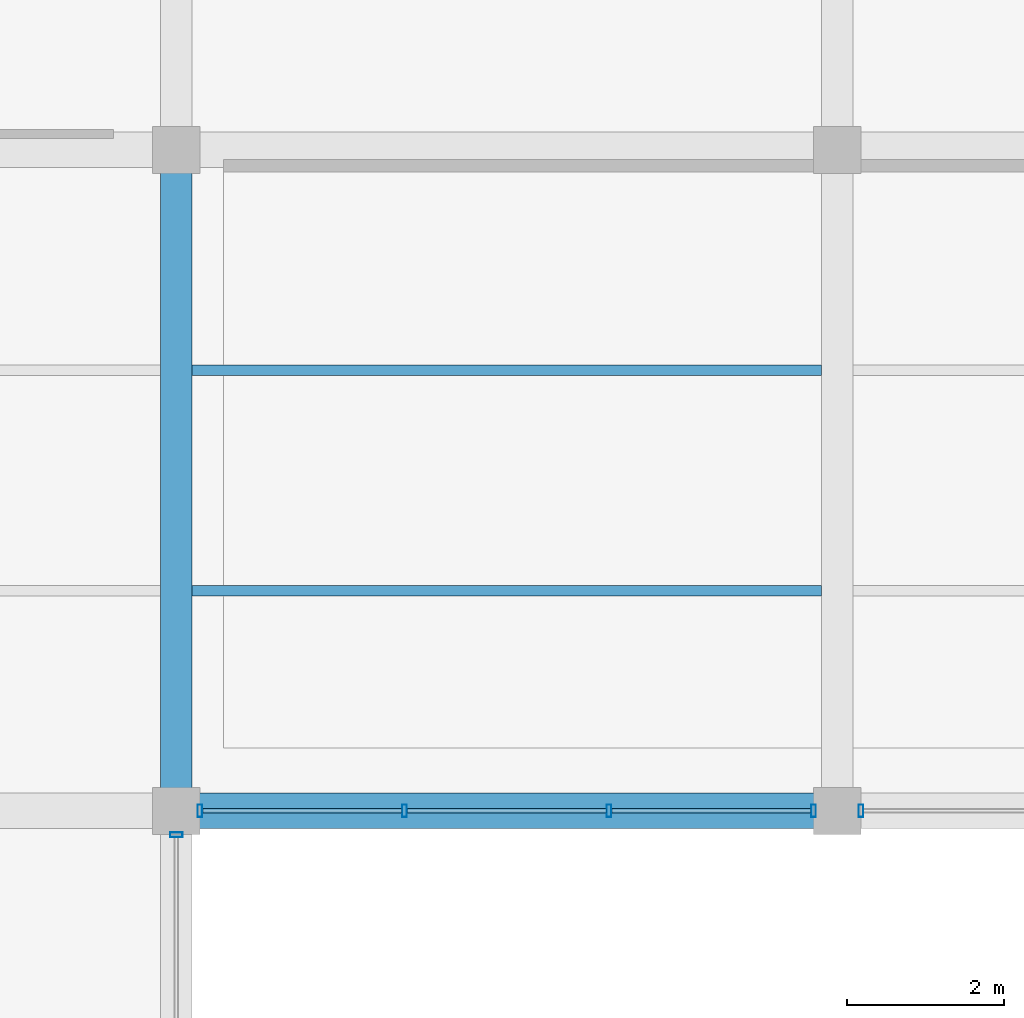
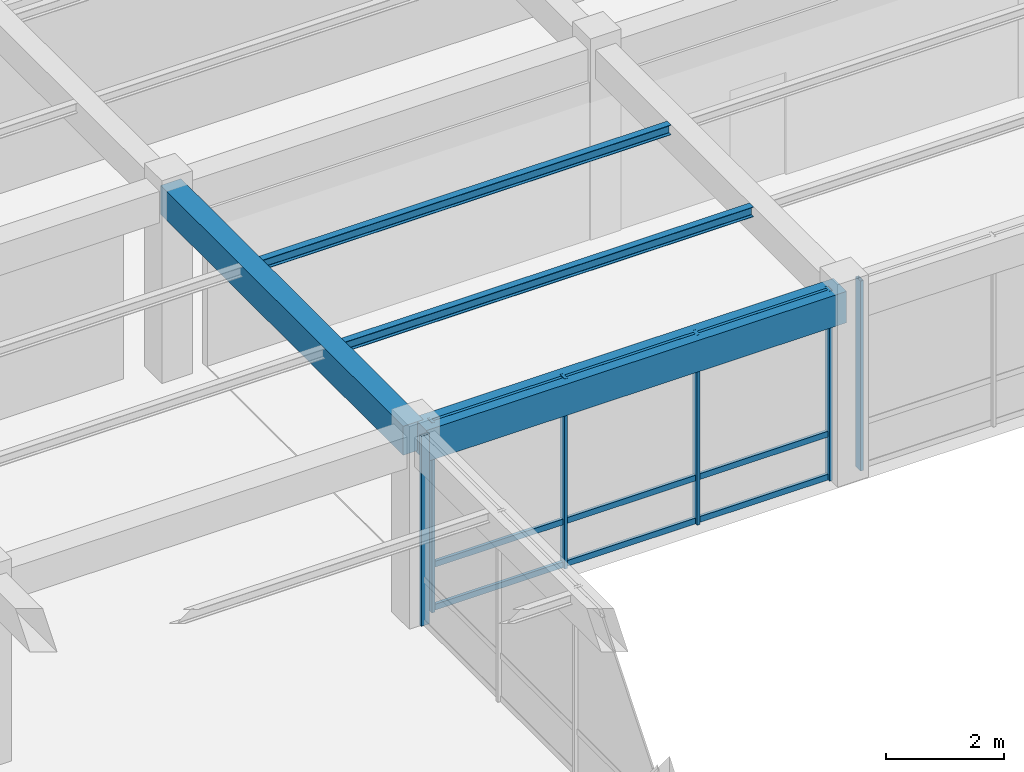
# One storey, part 10 of 114: 15 members, 4 beams, 3 elements without a shape of their own.
"""IFC4 building model written with IfcOpenShell, lengths in metres."""

from ifc_helpers import new_model, si_unit, direction, frame, origin, origin_2d, place, context, subcontext, project, spatial, rectangle, hollow_rectangle, i_section, extrude, material, material_profile, profile_set, type_object, element, aggregate, save


model = new_model("IFC4")

# Units and contexts
model_context = context("Model", 3, precision=1e-05, world=origin(), true_north=direction((0.0, 1.0)))
body_context = subcontext(model_context, "Body", "Model", "MODEL_VIEW")
ifc_project = project(units=[si_unit("LENGTHUNIT", "METRE"), si_unit("AREAUNIT", "SQUARE_METRE"), si_unit("VOLUMEUNIT", "CUBIC_METRE"), si_unit("PLANEANGLEUNIT", "RADIAN"), si_unit("MASSUNIT", "GRAM", prefix="KILO"), si_unit("THERMODYNAMICTEMPERATUREUNIT", "KELVIN"), si_unit("POWERUNIT", "WATT")], contexts=[model_context])

# Site, building, storey
site_placement = place(None, origin())
site = spatial("IfcSite", under=ifc_project, at=site_placement, CompositionType="ELEMENT")
building_placement = place(site_placement, origin())
building = spatial("IfcBuilding", under=site, at=building_placement, Name="Darbajah Civic Hall", CompositionType="ELEMENT")
storey_placement = place(building_placement, frame((0.0, 0.0, 13.800048828125)))
storey = spatial("IfcBuildingStorey", under=building, at=storey_placement, Name="L03", CompositionType="ELEMENT", Elevation=13.800048828125)

# Curtain wall, member
ifc_material_1 = material(Name="Anodised Bronze Aluminium and Low-E Glazing", Category="aluminium")
curtain_wall_type = type_object("IfcCurtainWallType", Name="Unitised Curtain Wall CW-100 7800x3950", PredefinedType="USERDEFINED", material=ifc_material_1)
curtain_wall_1_placement = place(storey_placement, origin())
curtain_wall_1 = element("IfcCurtainWall", 1, at=curtain_wall_1_placement, inside=storey, type_object=curtain_wall_type, Name="L03 unitised curtain wall CW-V5-L03-S1-B1", ObjectType="UNITISED CURTAIN WALL", PredefinedType="USERDEFINED")
ifc_material_2 = material(Name="Anodised Bronze Aluminium", Category="aluminium")
ifc_material_profile_1 = material_profile(ifc_material_2, hollow_rectangle(XDim=0.06005859375, YDim=0.159912109375, WallThickness=0.00341796875, at=origin_2d()), Name="ALU MULLION 60x160")
ifc_profile_set_1 = profile_set([ifc_material_profile_1], Name="Anodised Bronze Aluminium")
member_type_1 = type_object("IfcMemberType", Name="ALU MULLION 60x160", PredefinedType="MULLION", material=ifc_profile_set_1)
member_1_placement = place(storey_placement, frame((16.800048828125, 16.498046875, 0.0), z_axis=(0.0, 0.0, 1.0), x_axis=(0.0, 1.0, 0.0)))
member_1 = element("IfcMember", 2, at=member_1_placement, type_object=member_type_1, Name="CW-V5-L03-S1-B1 mullion 4", PredefinedType="MULLION", context=body_context, shape_type="SweptSolid", body=[
    extrude(hollow_rectangle(XDim=0.06005859375, YDim=0.159912109375, WallThickness=0.00341796875, at=origin_2d()), origin(), (0.0, 0.0, 1.0), 3.93994140625),
])
aggregate(curtain_wall_1, [member_1])

# Curtain wall, members
curtain_wall_2_placement = place(storey_placement, origin())
curtain_wall_2 = element("IfcCurtainWall", 3, at=curtain_wall_2_placement, inside=storey, type_object=curtain_wall_type, Name="L03 unitised curtain wall CW-V5-L03-S2-B0", ObjectType="UNITISED CURTAIN WALL", PredefinedType="USERDEFINED")
member_2_placement = place(storey_placement, frame((17.10205078125, 16.800048828125, 0.0), z_axis=(0.0, 0.0, 1.0), x_axis=(1.0, 0.0, 0.0)))
member_2 = element("IfcMember", 4, at=member_2_placement, type_object=member_type_1, Name="CW-V5-L03-S2-B0 mullion 1", PredefinedType="MULLION", context=body_context, shape_type="SweptSolid", body=[
    extrude(hollow_rectangle(XDim=0.06005859375, YDim=0.159912109375, WallThickness=0.00341796875, at=origin_2d()), origin(), (0.0, 0.0, 1.0), 3.93994140625),
])
member_3_placement = place(storey_placement, frame((19.70068359375, 16.800048828125, 0.0), z_axis=(0.0, 0.0, 1.0), x_axis=(1.0, 0.0, 0.0)))
member_3 = element("IfcMember", 5, at=member_3_placement, type_object=member_type_1, Name="CW-V5-L03-S2-B0 mullion 2", PredefinedType="MULLION", context=body_context, shape_type="SweptSolid", body=[
    extrude(hollow_rectangle(XDim=0.06005859375, YDim=0.159912109375, WallThickness=0.00341796875, at=origin_2d()), origin(), (0.0, 0.0, 1.0), 3.93994140625),
])
member_4_placement = place(storey_placement, frame((22.29931640625, 16.800048828125, 0.0), z_axis=(0.0, 0.0, 1.0), x_axis=(1.0, 0.0, 0.0)))
member_4 = element("IfcMember", 6, at=member_4_placement, type_object=member_type_1, Name="CW-V5-L03-S2-B0 mullion 3", PredefinedType="MULLION", context=body_context, shape_type="SweptSolid", body=[
    extrude(hollow_rectangle(XDim=0.06005859375, YDim=0.159912109375, WallThickness=0.00341796875, at=origin_2d()), origin(), (0.0, 0.0, 1.0), 3.93994140625),
])
member_5_placement = place(storey_placement, frame((24.89794921875, 16.800048828125, 0.0), z_axis=(0.0, 0.0, 1.0), x_axis=(1.0, 0.0, 0.0)))
member_5 = element("IfcMember", 7, at=member_5_placement, type_object=member_type_1, Name="CW-V5-L03-S2-B0 mullion 4", PredefinedType="MULLION", context=body_context, shape_type="SweptSolid", body=[
    extrude(hollow_rectangle(XDim=0.06005859375, YDim=0.159912109375, WallThickness=0.00341796875, at=origin_2d()), origin(), (0.0, 0.0, 1.0), 3.93994140625),
])

# Curtain wall, member
curtain_wall_3_placement = place(storey_placement, origin())
curtain_wall_3 = element("IfcCurtainWall", 8, at=curtain_wall_3_placement, inside=storey, type_object=curtain_wall_type, Name="L03 unitised curtain wall CW-V5-L03-S2-B1", ObjectType="UNITISED CURTAIN WALL", PredefinedType="USERDEFINED")
member_6_placement = place(storey_placement, frame((25.501953125, 16.800048828125, 0.0), z_axis=(0.0, 0.0, 1.0), x_axis=(1.0, 0.0, 0.0)))
member_6 = element("IfcMember", 9, at=member_6_placement, type_object=member_type_1, Name="CW-V5-L03-S2-B1 mullion 1", PredefinedType="MULLION", context=body_context, shape_type="SweptSolid", body=[
    extrude(hollow_rectangle(XDim=0.06005859375, YDim=0.159912109375, WallThickness=0.00341796875, at=origin_2d()), origin(), (0.0, 0.0, 1.0), 3.93994140625),
])
aggregate(curtain_wall_3, [member_6])

# Member
ifc_material_profile_2 = material_profile(ifc_material_2, hollow_rectangle(XDim=0.06005859375, YDim=0.1201171875, WallThickness=0.003173828125, at=origin_2d()), Name="ALU TRANSOM 60x120")
ifc_profile_set_2 = profile_set([ifc_material_profile_2], Name="Anodised Bronze Aluminium")
member_type_2 = type_object("IfcMemberType", Name="ALU TRANSOM 60x120", PredefinedType="USERDEFINED", material=ifc_profile_set_2)
member_7_placement = place(storey_placement, frame((17.136962890625, 16.800048828125, 0.06005859375), z_axis=(1.0, 0.0, 0.0), x_axis=(0.0, 1.0, 0.0)))
member_7 = element("IfcMember", 10, at=member_7_placement, type_object=member_type_2, Name="CW-V5-L03-S2-B0 transom 1.1", ObjectType="TRANSOM", PredefinedType="USERDEFINED", context=body_context, shape_type="SweptSolid", body=[
    extrude(hollow_rectangle(XDim=0.06005859375, YDim=0.1201171875, WallThickness=0.003173828125, at=origin_2d()), origin(), (0.0, 0.0, 1.0), 2.52880859375),
])

member_8_placement = place(storey_placement, frame((17.136962890625, 16.800048828125, 0.949951171875), z_axis=(1.0, 0.0, 0.0), x_axis=(0.0, 1.0, 0.0)))
member_8 = element("IfcMember", 11, at=member_8_placement, type_object=member_type_2, Name="CW-V5-L03-S2-B0 transom 1.2", ObjectType="TRANSOM", PredefinedType="USERDEFINED", context=body_context, shape_type="SweptSolid", body=[
    extrude(hollow_rectangle(XDim=0.06005859375, YDim=0.1201171875, WallThickness=0.003173828125, at=origin_2d()), origin(), (0.0, 0.0, 1.0), 2.52880859375),
])

member_9_placement = place(storey_placement, frame((17.136962890625, 16.800048828125, 3.8798828125), z_axis=(1.0, 0.0, 0.0), x_axis=(0.0, 1.0, 0.0)))
member_9 = element("IfcMember", 12, at=member_9_placement, type_object=member_type_2, Name="CW-V5-L03-S2-B0 transom 1.3", ObjectType="TRANSOM", PredefinedType="USERDEFINED", context=body_context, shape_type="SweptSolid", body=[
    extrude(hollow_rectangle(XDim=0.06005859375, YDim=0.1201171875, WallThickness=0.003173828125, at=origin_2d()), origin(), (0.0, 0.0, 1.0), 2.52880859375),
])

member_10_placement = place(storey_placement, frame((19.735595703125, 16.800048828125, 0.06005859375), z_axis=(1.0, 0.0, 0.0), x_axis=(0.0, 1.0, 0.0)))
member_10 = element("IfcMember", 13, at=member_10_placement, type_object=member_type_2, Name="CW-V5-L03-S2-B0 transom 2.1", ObjectType="TRANSOM", PredefinedType="USERDEFINED", context=body_context, shape_type="SweptSolid", body=[
    extrude(hollow_rectangle(XDim=0.06005859375, YDim=0.1201171875, WallThickness=0.003173828125, at=origin_2d()), origin(), (0.0, 0.0, 1.0), 2.52880859375),
])

member_11_placement = place(storey_placement, frame((19.735595703125, 16.800048828125, 0.949951171875), z_axis=(1.0, 0.0, 0.0), x_axis=(0.0, 1.0, 0.0)))
member_11 = element("IfcMember", 14, at=member_11_placement, type_object=member_type_2, Name="CW-V5-L03-S2-B0 transom 2.2", ObjectType="TRANSOM", PredefinedType="USERDEFINED", context=body_context, shape_type="SweptSolid", body=[
    extrude(hollow_rectangle(XDim=0.06005859375, YDim=0.1201171875, WallThickness=0.003173828125, at=origin_2d()), origin(), (0.0, 0.0, 1.0), 2.52880859375),
])

member_12_placement = place(storey_placement, frame((19.735595703125, 16.800048828125, 3.8798828125), z_axis=(1.0, 0.0, 0.0), x_axis=(0.0, 1.0, 0.0)))
member_12 = element("IfcMember", 15, at=member_12_placement, type_object=member_type_2, Name="CW-V5-L03-S2-B0 transom 2.3", ObjectType="TRANSOM", PredefinedType="USERDEFINED", context=body_context, shape_type="SweptSolid", body=[
    extrude(hollow_rectangle(XDim=0.06005859375, YDim=0.1201171875, WallThickness=0.003173828125, at=origin_2d()), origin(), (0.0, 0.0, 1.0), 2.52880859375),
])

member_13_placement = place(storey_placement, frame((22.334228515625, 16.800048828125, 0.06005859375), z_axis=(1.0, 0.0, 0.0), x_axis=(0.0, 1.0, 0.0)))
member_13 = element("IfcMember", 16, at=member_13_placement, type_object=member_type_2, Name="CW-V5-L03-S2-B0 transom 3.1", ObjectType="TRANSOM", PredefinedType="USERDEFINED", context=body_context, shape_type="SweptSolid", body=[
    extrude(hollow_rectangle(XDim=0.06005859375, YDim=0.1201171875, WallThickness=0.003173828125, at=origin_2d()), origin(), (0.0, 0.0, 1.0), 2.52880859375),
])

member_14_placement = place(storey_placement, frame((22.334228515625, 16.800048828125, 0.949951171875), z_axis=(1.0, 0.0, 0.0), x_axis=(0.0, 1.0, 0.0)))
member_14 = element("IfcMember", 17, at=member_14_placement, type_object=member_type_2, Name="CW-V5-L03-S2-B0 transom 3.2", ObjectType="TRANSOM", PredefinedType="USERDEFINED", context=body_context, shape_type="SweptSolid", body=[
    extrude(hollow_rectangle(XDim=0.06005859375, YDim=0.1201171875, WallThickness=0.003173828125, at=origin_2d()), origin(), (0.0, 0.0, 1.0), 2.52880859375),
])

member_15_placement = place(storey_placement, frame((22.334228515625, 16.800048828125, 3.8798828125), z_axis=(1.0, 0.0, 0.0), x_axis=(0.0, 1.0, 0.0)))
member_15 = element("IfcMember", 18, at=member_15_placement, type_object=member_type_2, Name="CW-V5-L03-S2-B0 transom 3.3", ObjectType="TRANSOM", PredefinedType="USERDEFINED", context=body_context, shape_type="SweptSolid", body=[
    extrude(hollow_rectangle(XDim=0.06005859375, YDim=0.1201171875, WallThickness=0.003173828125, at=origin_2d()), origin(), (0.0, 0.0, 1.0), 2.52880859375),
])

aggregate(curtain_wall_2, [member_2, member_3, member_4, member_5, member_7, member_8, member_9, member_10, member_11, member_12, member_13, member_14, member_15])

# Beams
ifc_material_3 = material(Name="Concrete C45/55", Category="concrete")
ifc_material_profile_3 = material_profile(ifc_material_3, rectangle(XDim=0.39990234375, YDim=0.60009765625, at=origin_2d()), Name="RC BEAM 400x600")
ifc_profile_set_3 = profile_set([ifc_material_profile_3], Name="Concrete C45/55")
beam_type_1 = type_object("IfcBeamType", Name="RC BEAM 400x600", PredefinedType="BEAM", material=ifc_profile_set_3)
beam_1_placement = place(storey_placement, frame((16.800048828125, 16.8798828125, 3.639892578125), z_axis=(0.0, 1.0, 0.0), x_axis=(-1.0, 0.0, 0.0)))
element("IfcBeam", 19, at=beam_1_placement, inside=storey, type_object=beam_type_1, Name="L03 beam BM-4060", PredefinedType="BEAM", context=body_context, shape_type="SweptSolid", body=[
    extrude(rectangle(XDim=0.39990234375, YDim=0.60009765625, at=origin_2d()), origin(), (0.0, 0.0, 1.0), 8.240234375),
])
ifc_material_profile_4 = material_profile(ifc_material_3, rectangle(XDim=0.449951171875, YDim=0.64990234375, at=origin_2d()), Name="RC BEAM 450x650")
ifc_profile_set_4 = profile_set([ifc_material_profile_4], Name="Concrete C45/55")
beam_type_2 = type_object("IfcBeamType", Name="RC BEAM 450x650", PredefinedType="BEAM", material=ifc_profile_set_4)
beam_2_placement = place(storey_placement, frame((16.8798828125, 16.800048828125, 3.614990234375), z_axis=(1.0, 0.0, 0.0), x_axis=(0.0, 1.0, 0.0)))
element("IfcBeam", 20, at=beam_2_placement, inside=storey, type_object=beam_type_2, Name="L03 beam BM-4565", PredefinedType="BEAM", context=body_context, shape_type="SweptSolid", body=[
    extrude(rectangle(XDim=0.449951171875, YDim=0.64990234375, at=origin_2d()), origin(), (0.0, 0.0, 1.0), 8.240234375),
])
ifc_material_4 = material(Name="Steel S355JR", Category="steel")
ifc_material_profile_5 = material_profile(ifc_material_4, i_section(OverallWidth=0.1337890625, OverallDepth=0.206787109375, WebThickness=0.00634765625, FlangeThickness=0.009521484375, FilletRadius=0.007568359375, at=origin_2d()), Name="UB 203x133x30")
ifc_profile_set_5 = profile_set([ifc_material_profile_5], Name="Steel S355JR")
beam_type_3 = type_object("IfcBeamType", Name="UB 203x133x30", PredefinedType="JOIST", material=ifc_profile_set_5)
for number, where, z_axis, x_axis, name in (
    (21, (17.0, 19.60009765625, 3.836669921875), (1.0, 0.0, 0.0), (0.0, 1.0, 0.0), "L03 beam SJ-203"),
    (22, (17.0, 22.39990234375, 3.836669921875), (1.0, 0.0, 0.0), (0.0, 1.0, 0.0), "L03 beam SJ-203"),
):
    element("IfcBeam", number, at=place(storey_placement, frame(where, z_axis=z_axis, x_axis=x_axis)), inside=storey, type_object=beam_type_3, Name=name, PredefinedType="JOIST", context=body_context, shape_type="SweptSolid", body=[
        extrude(i_section(OverallWidth=0.1337890625, OverallDepth=0.206787109375, WebThickness=0.00634765625, FlangeThickness=0.009521484375, FilletRadius=0.007568359375, at=origin_2d()), origin(), (0.0, 0.0, 1.0), 8.0),
    ])

save(model, "model.ifc")
